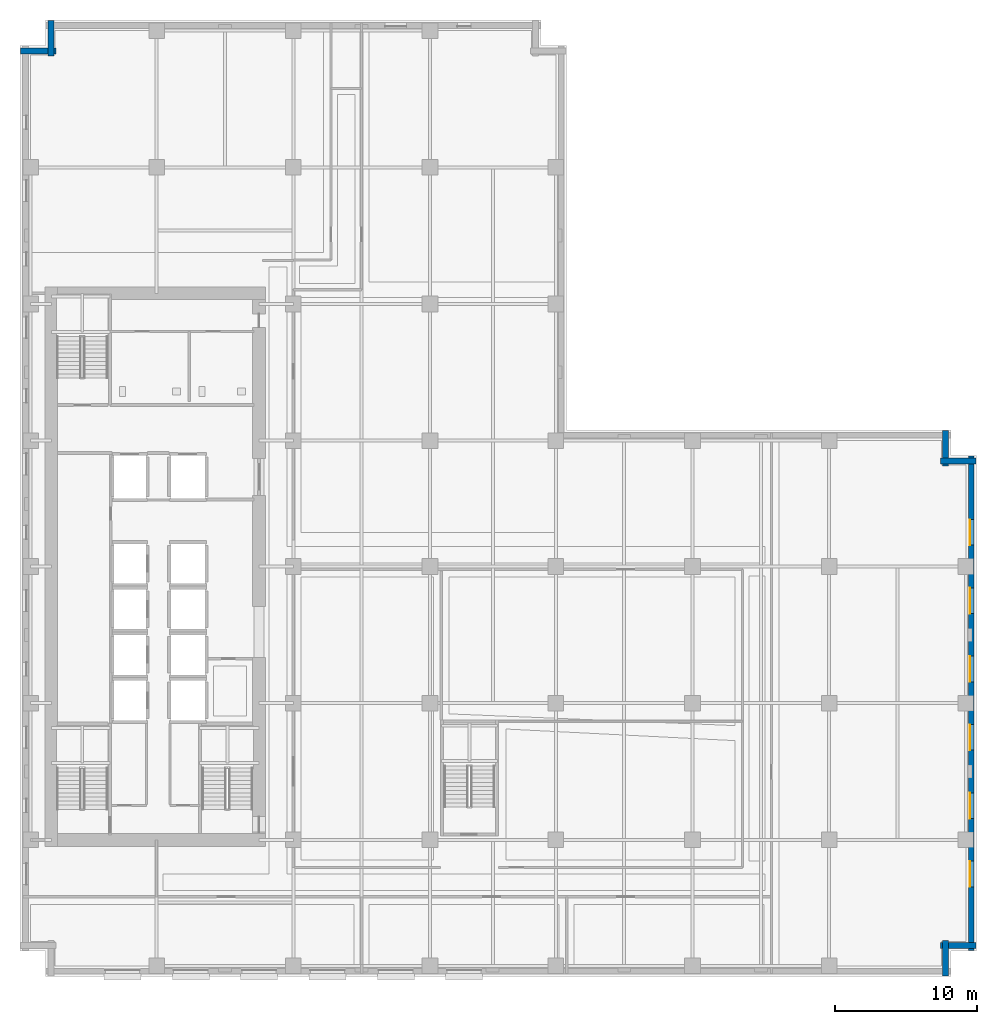
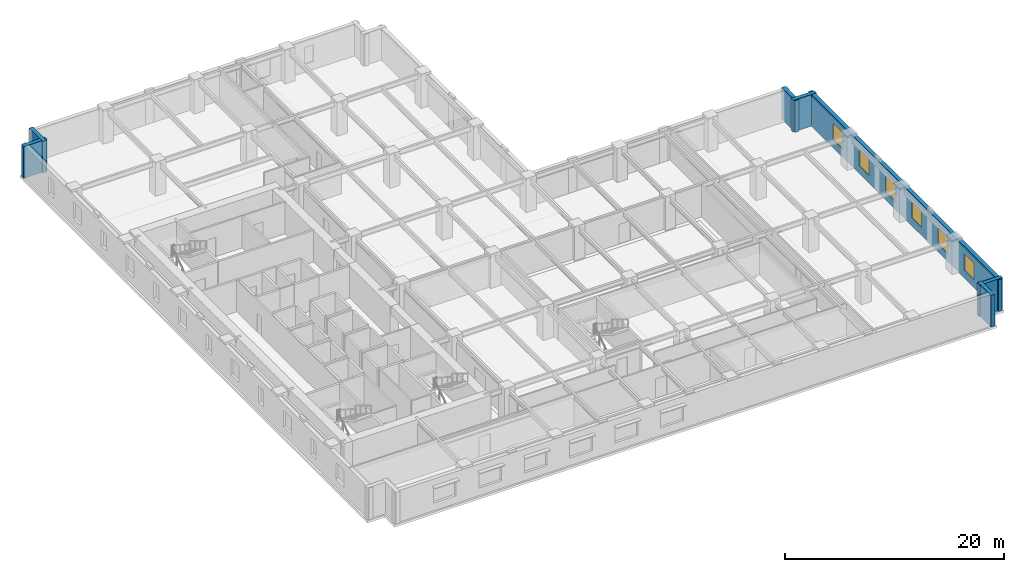
# One storey, part 8 of 14: 7 walls, 6 windows, 6 openings.
"""IFC4 building model written with IfcOpenShell, lengths in metres."""

from ifc_helpers import new_model, si_unit, direction, frame, frame_2d, origin, place, context, subcontext, project, spatial, rectangle, extrude, material, layer, layer_set, type_object, element, fill, save


model = new_model("IFC4")

# Units and contexts
model_context = context("Model", 3, precision=1e-05, world=origin(), true_north=direction((0.0, 1.0)))
body_context = subcontext(model_context, "Body", "Model", "MODEL_VIEW")
ifc_project = project(units=[si_unit("LENGTHUNIT", "METRE"), si_unit("AREAUNIT", "SQUARE_METRE"), si_unit("VOLUMEUNIT", "CUBIC_METRE"), si_unit("PLANEANGLEUNIT", "RADIAN"), si_unit("MASSUNIT", "GRAM", prefix="KILO")], contexts=[model_context])

# Site, building, storey
site_placement = place(None, origin())
site = spatial("IfcSite", under=ifc_project, at=site_placement, CompositionType="ELEMENT")
building_placement = place(site_placement, origin())
building = spatial("IfcBuilding", under=site, at=building_placement, Name="Norrvale University Quadrangle", CompositionType="ELEMENT")
storey_placement = place(building_placement, frame((0.0, 0.0, 73.60009765625)))
storey = spatial("IfcBuildingStorey", under=building, at=storey_placement, Name="L18", CompositionType="ELEMENT", Elevation=73.60009765625)

# Walls
ifc_material_1 = material(Name="Red Manganese Brick Masonry", Category="masonry")
ifc_layer = layer(ifc_material_1, 0.39990234375, Name="Red Manganese Brick Masonry")
ifc_layer_set = layer_set([ifc_layer], Name="Red Manganese Brick Masonry")
wall_type = type_object("IfcWallType", Name="Wall Red Brick 400", PredefinedType="SOLIDWALL", material=ifc_layer_set)
for number, where, z_axis, x_axis, name in (
    (1, (65.02001953125, 0.0400390625, 0.0), (0.0, 0.0, 1.0), (0.0, 1.0, 0.0), "Exterior Brick Facade Wall L18-02.1"),
    (2, (64.679931640625, 2.179931640625, 0.0), (0.0, 0.0, 1.0), (1.0, 0.0, 0.0), "Exterior Brick Facade Wall L18-03.1"),
):
    element("IfcWall", number, at=place(storey_placement, frame(where, z_axis=z_axis, x_axis=x_axis)), inside=storey, type_object=wall_type, Name=name, PredefinedType="SOLIDWALL", context=body_context, shape_type="SweptSolid", body=[
        extrude(rectangle(XDim=2.47998046875, YDim=0.39990234375, at=frame_2d((1.239990234375, 0.0))), origin(), (0.0, 0.0, 1.0), 3.539794921875),
    ])

# Wall, openings, windows
wall_1_placement = place(storey_placement, frame((66.820068359375, 1.840087890625, 0.0), z_axis=(0.0, 0.0, 1.0), x_axis=(0.0, 1.0, 0.0)))
wall_1 = element("IfcWall", 3, at=wall_1_placement, inside=storey, type_object=wall_type, Name="Exterior Brick Facade Wall L18-04.1", PredefinedType="SOLIDWALL", context=body_context, shape_type="SweptSolid", body=[
    extrude(rectangle(XDim=34.719970703125, YDim=0.39990234375, at=frame_2d((17.35986328125, 0.0))), origin(), (0.0, 0.0, 1.0), 3.539794921875),
])
opening_1_placement = place(wall_1_placement, frame((4.4599609375, 0.0, 0.85009765625)))
opening_1 = element("IfcOpeningElement", 4, at=opening_1_placement, cuts=wall_1, Name="Opening W01", PredefinedType="OPENING", context=body_context, shape_type="SweptSolid", body=[
    extrude(rectangle(XDim=1.800048828125, YDim=1.85009765625, at=frame_2d((0.89990234375, 0.925048828125))), frame((0.0, 0.2119140625, 0.0), z_axis=(0.0, -1.0, 0.0), x_axis=(1.0, 0.0, 0.0)), (0.0, 0.0, 1.0), 0.423828125),
])
opening_2_placement = place(wall_1_placement, frame((9.260009765625, 0.0, 0.85009765625)))
opening_2 = element("IfcOpeningElement", 5, at=opening_2_placement, cuts=wall_1, Name="Opening W01", PredefinedType="OPENING", context=body_context, shape_type="SweptSolid", body=[
    extrude(rectangle(XDim=1.800048828125, YDim=1.85009765625, at=frame_2d((0.89990234375, 0.925048828125))), frame((0.0, 0.2119140625, 0.0), z_axis=(0.0, -1.0, 0.0), x_axis=(1.0, 0.0, 0.0)), (0.0, 0.0, 1.0), 0.423828125),
])
opening_3_placement = place(wall_1_placement, frame((14.06005859375, 0.0, 0.85009765625)))
opening_3 = element("IfcOpeningElement", 6, at=opening_3_placement, cuts=wall_1, Name="Opening W01", PredefinedType="OPENING", context=body_context, shape_type="SweptSolid", body=[
    extrude(rectangle(XDim=1.800048828125, YDim=1.85009765625, at=frame_2d((0.89990234375, 0.925048828125))), frame((0.0, 0.2119140625, 0.0), z_axis=(0.0, -1.0, 0.0), x_axis=(1.0, 0.0, 0.0)), (0.0, 0.0, 1.0), 0.423828125),
])
opening_4_placement = place(wall_1_placement, frame((18.860107421875, 0.0, 0.85009765625)))
opening_4 = element("IfcOpeningElement", 7, at=opening_4_placement, cuts=wall_1, Name="Opening W01", PredefinedType="OPENING", context=body_context, shape_type="SweptSolid", body=[
    extrude(rectangle(XDim=1.800048828125, YDim=1.85009765625, at=frame_2d((0.89990234375, 0.925048828125))), frame((0.0, 0.2119140625, 0.0), z_axis=(0.0, -1.0, 0.0), x_axis=(1.0, 0.0, 0.0)), (0.0, 0.0, 1.0), 0.423828125),
])
opening_5_placement = place(wall_1_placement, frame((23.659912109375, 0.0, 0.85009765625)))
opening_5 = element("IfcOpeningElement", 8, at=opening_5_placement, cuts=wall_1, Name="Opening W01", PredefinedType="OPENING", context=body_context, shape_type="SweptSolid", body=[
    extrude(rectangle(XDim=1.800048828125, YDim=1.85009765625, at=frame_2d((0.89990234375, 0.925048828125))), frame((0.0, 0.2119140625, 0.0), z_axis=(0.0, -1.0, 0.0), x_axis=(1.0, 0.0, 0.0)), (0.0, 0.0, 1.0), 0.423828125),
])
opening_6_placement = place(wall_1_placement, frame((28.4599609375, 0.0, 0.85009765625)))
opening_6 = element("IfcOpeningElement", 9, at=opening_6_placement, cuts=wall_1, Name="Opening W01", PredefinedType="OPENING", context=body_context, shape_type="SweptSolid", body=[
    extrude(rectangle(XDim=1.800048828125, YDim=1.85009765625, at=frame_2d((0.89990234375, 0.925048828125))), frame((0.0, 0.2119140625, 0.0), z_axis=(0.0, -1.0, 0.0), x_axis=(1.0, 0.0, 0.0)), (0.0, 0.0, 1.0), 0.423828125),
])
ifc_material_2 = material(Name="Triple Low-E Argon Glazing", Category="glass")
window_type = type_object("IfcWindowType", Name="Window Academic 1800x2300", PartitioningType="DOUBLE_PANEL_VERTICAL", PredefinedType="WINDOW", material=ifc_material_2)
window_1_placement = place(opening_1_placement, origin())
window_1 = element("IfcWindow", 10, at=window_1_placement, inside=storey, type_object=window_type, Name="Window Academic 1800x2300 WIN-L18-E04-1-01", OverallHeight=1.85009765625, OverallWidth=1.800048828125, PartitioningType="DOUBLE_PANEL_VERTICAL", PredefinedType="WINDOW", context=body_context, shape_type="SweptSolid", body=[
    extrude(rectangle(XDim=1.800048828125, YDim=1.85009765625, at=frame_2d((0.89990234375, 0.925048828125))), frame((0.0, 0.110107421875, 0.0), z_axis=(0.0, -1.0, 0.0), x_axis=(1.0, 0.0, 0.0)), (0.0, 0.0, 1.0), 0.06005859375),
])
fill(opening_1, window_1)
window_2_placement = place(opening_2_placement, origin())
window_2 = element("IfcWindow", 11, at=window_2_placement, inside=storey, type_object=window_type, Name="Window Academic 1800x2300 WIN-L18-E04-1-02", OverallHeight=1.85009765625, OverallWidth=1.800048828125, PartitioningType="DOUBLE_PANEL_VERTICAL", PredefinedType="WINDOW", context=body_context, shape_type="SweptSolid", body=[
    extrude(rectangle(XDim=1.800048828125, YDim=1.85009765625, at=frame_2d((0.89990234375, 0.925048828125))), frame((0.0, 0.110107421875, 0.0), z_axis=(0.0, -1.0, 0.0), x_axis=(1.0, 0.0, 0.0)), (0.0, 0.0, 1.0), 0.06005859375),
])
fill(opening_2, window_2)
window_3_placement = place(opening_3_placement, origin())
window_3 = element("IfcWindow", 12, at=window_3_placement, inside=storey, type_object=window_type, Name="Window Academic 1800x2300 WIN-L18-E04-1-03", OverallHeight=1.85009765625, OverallWidth=1.800048828125, PartitioningType="DOUBLE_PANEL_VERTICAL", PredefinedType="WINDOW", context=body_context, shape_type="SweptSolid", body=[
    extrude(rectangle(XDim=1.800048828125, YDim=1.85009765625, at=frame_2d((0.89990234375, 0.925048828125))), frame((0.0, 0.110107421875, 0.0), z_axis=(0.0, -1.0, 0.0), x_axis=(1.0, 0.0, 0.0)), (0.0, 0.0, 1.0), 0.06005859375),
])
fill(opening_3, window_3)
window_4_placement = place(opening_4_placement, origin())
window_4 = element("IfcWindow", 13, at=window_4_placement, inside=storey, type_object=window_type, Name="Window Academic 1800x2300 WIN-L18-E04-1-04", OverallHeight=1.85009765625, OverallWidth=1.800048828125, PartitioningType="DOUBLE_PANEL_VERTICAL", PredefinedType="WINDOW", context=body_context, shape_type="SweptSolid", body=[
    extrude(rectangle(XDim=1.800048828125, YDim=1.85009765625, at=frame_2d((0.89990234375, 0.925048828125))), frame((0.0, 0.110107421875, 0.0), z_axis=(0.0, -1.0, 0.0), x_axis=(1.0, 0.0, 0.0)), (0.0, 0.0, 1.0), 0.06005859375),
])
fill(opening_4, window_4)
window_5_placement = place(opening_5_placement, origin())
window_5 = element("IfcWindow", 14, at=window_5_placement, inside=storey, type_object=window_type, Name="Window Academic 1800x2300 WIN-L18-E04-1-05", OverallHeight=1.85009765625, OverallWidth=1.800048828125, PartitioningType="DOUBLE_PANEL_VERTICAL", PredefinedType="WINDOW", context=body_context, shape_type="SweptSolid", body=[
    extrude(rectangle(XDim=1.800048828125, YDim=1.85009765625, at=frame_2d((0.89990234375, 0.925048828125))), frame((0.0, 0.110107421875, 0.0), z_axis=(0.0, -1.0, 0.0), x_axis=(1.0, 0.0, 0.0)), (0.0, 0.0, 1.0), 0.06005859375),
])
fill(opening_5, window_5)
window_6_placement = place(opening_6_placement, origin())
window_6 = element("IfcWindow", 15, at=window_6_placement, inside=storey, type_object=window_type, Name="Window Academic 1800x2300 WIN-L18-E04-1-06", OverallHeight=1.85009765625, OverallWidth=1.800048828125, PartitioningType="DOUBLE_PANEL_VERTICAL", PredefinedType="WINDOW", context=body_context, shape_type="SweptSolid", body=[
    extrude(rectangle(XDim=1.800048828125, YDim=1.85009765625, at=frame_2d((0.89990234375, 0.925048828125))), frame((0.0, 0.110107421875, 0.0), z_axis=(0.0, -1.0, 0.0), x_axis=(1.0, 0.0, 0.0)), (0.0, 0.0, 1.0), 0.06005859375),
])
fill(opening_6, window_6)

# Walls
wall_2_placement = place(storey_placement, frame((67.159912109375, 36.219970703125, 0.0), z_axis=(0.0, 0.0, 1.0), x_axis=(-1.0, 0.0, 0.0)))
element("IfcWall", 16, at=wall_2_placement, inside=storey, type_object=wall_type, Name="Exterior Brick Facade Wall L18-05.1", PredefinedType="SOLIDWALL", context=body_context, shape_type="SweptSolid", body=[
    extrude(rectangle(XDim=2.47998046875, YDim=0.39990234375, at=frame_2d((1.239990234375, 0.0))), origin(), (0.0, 0.0, 1.0), 3.539794921875),
])
wall_3_placement = place(storey_placement, frame((65.02001953125, 35.8798828125, 0.0), z_axis=(0.0, 0.0, 1.0), x_axis=(0.0, 1.0, 0.0)))
element("IfcWall", 17, at=wall_3_placement, inside=storey, type_object=wall_type, Name="Exterior Brick Facade Wall L18-06.1", PredefinedType="SOLIDWALL", context=body_context, shape_type="SweptSolid", body=[
    extrude(rectangle(XDim=2.480224609375, YDim=0.39990234375, at=frame_2d((1.240234375, 0.0))), origin(), (0.0, 0.0, 1.0), 3.539794921875),
])
for number, where, z_axis, x_axis, name in (
    (18, (2.179931640625, 67.159912109375, 0.0), (0.0, 0.0, 1.0), (0.0, -1.0, 0.0), "Exterior Brick Facade Wall L18-12.1"),
    (19, (2.52001953125, 65.02001953125, 0.0), (0.0, 0.0, 1.0), (-1.0, 0.0, 0.0), "Exterior Brick Facade Wall L18-13.1"),
):
    element("IfcWall", number, at=place(storey_placement, frame(where, z_axis=z_axis, x_axis=x_axis)), inside=storey, type_object=wall_type, Name=name, PredefinedType="SOLIDWALL", context=body_context, shape_type="SweptSolid", body=[
        extrude(rectangle(XDim=2.47998046875, YDim=0.39990234375, at=frame_2d((1.239990234375, 0.0))), origin(), (0.0, 0.0, 1.0), 3.539794921875),
    ])

save(model, "model.ifc")
